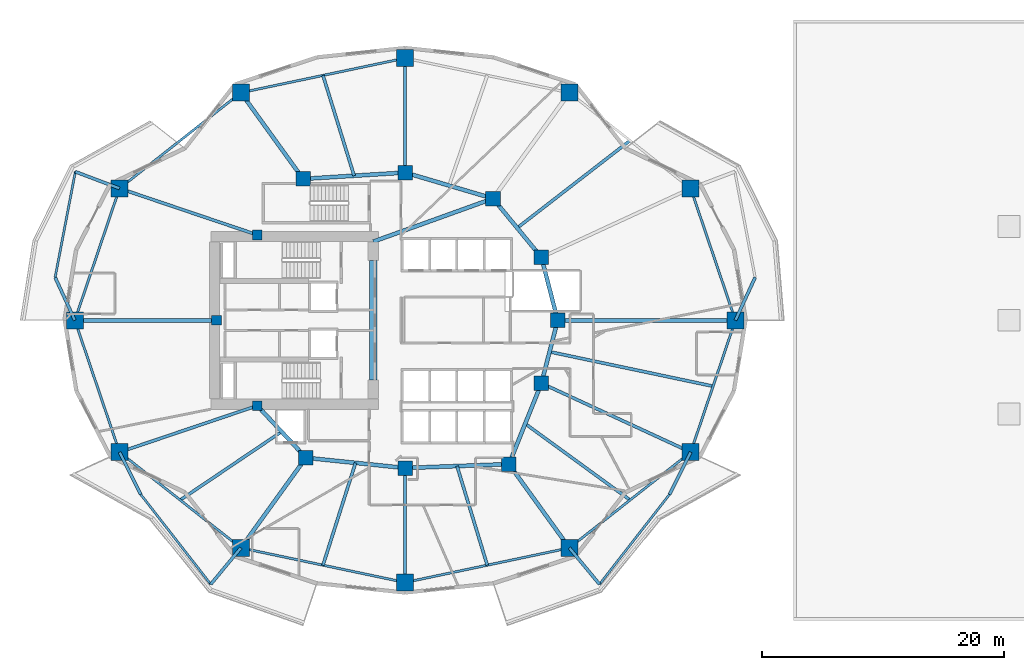
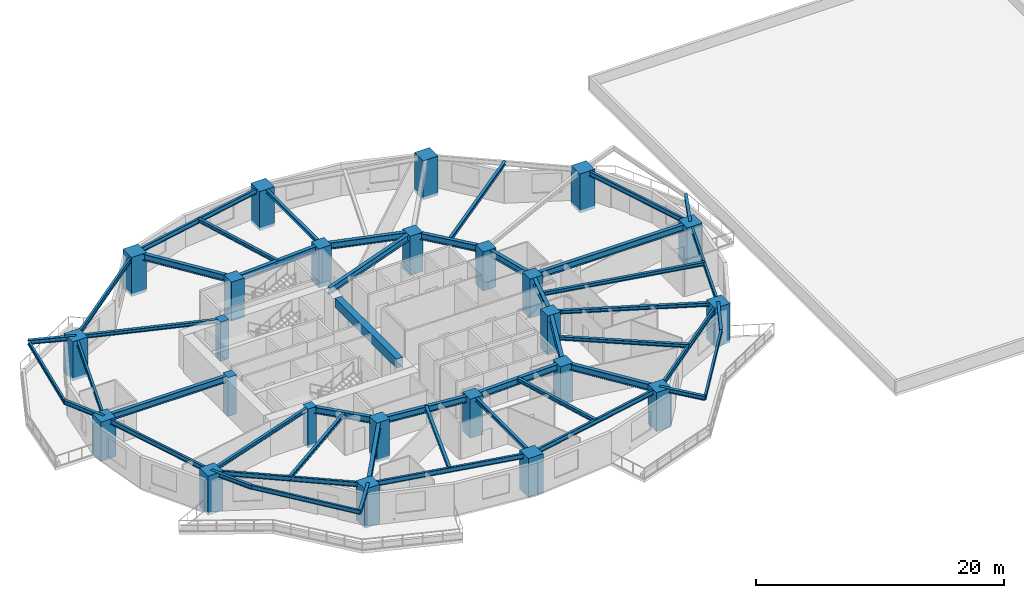
# One storey, part 1 of 13: 48 beams, 24 columns.
"""IFC4 building model written with IfcOpenShell, lengths in metres."""

from ifc_helpers import new_model, si_unit, direction, frame, origin, origin_2d, place, context, subcontext, project, spatial, rectangle, i_section, extrude, material, material_profile, profile_set, type_object, element, save


model = new_model("IFC4")

# Units and contexts
model_context = context("Model", 3, precision=1e-05, world=origin(), true_north=direction((0.0, 1.0)))
body_context = subcontext(model_context, "Body", "Model", "MODEL_VIEW")
ifc_project = project(units=[si_unit("LENGTHUNIT", "METRE"), si_unit("AREAUNIT", "SQUARE_METRE"), si_unit("VOLUMEUNIT", "CUBIC_METRE"), si_unit("PLANEANGLEUNIT", "RADIAN"), si_unit("MASSUNIT", "GRAM", prefix="KILO")], contexts=[model_context])

# Site, building, storey
site_placement = place(None, origin())
site = spatial("IfcSite", under=ifc_project, at=site_placement, CompositionType="ELEMENT")
building_placement = place(site_placement, origin())
building = spatial("IfcBuilding", under=site, at=building_placement, Name="Kolvaren Gate Tower and Convention Centre", CompositionType="ELEMENT")
storey_placement = place(building_placement, frame((0.0, 0.0, 26.5)))
storey = spatial("IfcBuildingStorey", under=building, at=storey_placement, Name="L05", CompositionType="ELEMENT", Elevation=26.5)

# Columns
ifc_material_1 = material(Name="Concrete C70/85", Category="concrete")
ifc_material_profile_1 = material_profile(ifc_material_1, rectangle(XDim=1.199951171875, YDim=1.199951171875, at=origin_2d()), Name="RC-COL-1200X1200")
ifc_profile_set_1 = profile_set([ifc_material_profile_1], Name="Concrete C70/85")
column_type_1 = type_object("IfcColumnType", Name="STR-COL-RC1200", PredefinedType="COLUMN", material=ifc_profile_set_1)
for number, where, z_axis, x_axis, name in (
    (1, (42.72509765625, 27.0, -0.280029296875), (0.0, 0.0, 1.0), (1.0, 0.0, 0.0), "Tower L05 Interior Column TI-01"),
    (2, (41.382080078125, 32.199462890625, -0.280029296875), (0.0, 0.0, 1.0), (1.0, 0.0, 0.0), "Tower L05 Interior Column TI-02"),
    (3, (37.381591796875, 37.054931640625, -0.280029296875), (0.0, 0.0, 1.0), (1.0, 0.0, 0.0), "Tower L05 Interior Column TI-03"),
    (4, (30.125, 39.199951171875, -0.280029296875), (0.0, 0.0, 1.0), (1.0, 0.0, 0.0), "Tower L05 Interior Column TI-04"),
    (5, (21.697998046875, 38.6767578125, -0.280029296875), (0.0, 0.0, 1.0), (1.0, 0.0, 0.0), "Tower L05 Interior Column TI-05"),
    (6, (21.93212890625, 15.647705078125, -0.280029296875), (0.0, 0.0, 1.0), (1.0, 0.0, 0.0), "Tower L05 Interior Column TI-06"),
    (7, (30.125, 14.800048828125, -0.280029296875), (0.0, 0.0, 1.0), (1.0, 0.0, 0.0), "Tower L05 Interior Column TI-07"),
    (8, (38.6982421875, 15.12060546875, -0.280029296875), (0.0, 0.0, 1.0), (1.0, 0.0, 0.0), "Tower L05 Interior Column TI-08"),
    (9, (41.382080078125, 21.800537109375, -0.280029296875), (0.0, 0.0, 1.0), (1.0, 0.0, 0.0), "Tower L05 Interior Column TI-09"),
):
    element("IfcColumn", number, at=place(storey_placement, frame(where, z_axis=z_axis, x_axis=x_axis)), inside=storey, type_object=column_type_1, Name=name, PredefinedType="COLUMN", context=body_context, shape_type="SweptSolid", body=[
        extrude(rectangle(XDim=1.199951171875, YDim=1.199951171875, at=origin_2d()), origin(), (0.0, 0.0, 1.0), 3.85009765625),
    ])
ifc_material_profile_2 = material_profile(ifc_material_1, rectangle(XDim=1.39990234375, YDim=1.39990234375, at=origin_2d()), Name="RC-COL-1400X1400")
ifc_profile_set_2 = profile_set([ifc_material_profile_2], Name="Concrete C70/85")
column_type_2 = type_object("IfcColumnType", Name="STR-COL-RC1400", PredefinedType="COLUMN", material=ifc_profile_set_2)
for number, where, z_axis, x_axis, name in (
    (10, (57.39990234375, 27.0, -0.280029296875), (0.0, 0.0, 1.0), (1.0, 0.0, 0.0), "Tower L05 Perimeter Supercolumn TP-01"),
    (11, (53.710205078125, 37.8935546875, -0.280029296875), (0.0, 0.0, 1.0), (1.0, 0.0, 0.0), "Tower L05 Perimeter Supercolumn TP-02"),
    (12, (43.690185546875, 45.79638671875, -0.280029296875), (0.0, 0.0, 1.0), (1.0, 0.0, 0.0), "Tower L05 Perimeter Supercolumn TP-03"),
    (13, (30.125, 48.64990234375, -0.280029296875), (0.0, 0.0, 1.0), (1.0, 0.0, 0.0), "Tower L05 Perimeter Supercolumn TP-04"),
    (14, (16.559814453125, 45.79638671875, -0.280029296875), (0.0, 0.0, 1.0), (1.0, 0.0, 0.0), "Tower L05 Perimeter Supercolumn TP-05"),
    (15, (6.539794921875, 37.8935546875, -0.280029296875), (0.0, 0.0, 1.0), (1.0, 0.0, 0.0), "Tower L05 Perimeter Supercolumn TP-06"),
    (16, (2.85009765625, 27.0, -0.280029296875), (0.0, 0.0, 1.0), (1.0, 0.0, 0.0), "Tower L05 Perimeter Supercolumn TP-07"),
    (17, (6.539794921875, 16.1064453125, -0.280029296875), (0.0, 0.0, 1.0), (1.0, 0.0, 0.0), "Tower L05 Perimeter Supercolumn TP-08"),
    (18, (16.559814453125, 8.20361328125, -0.280029296875), (0.0, 0.0, 1.0), (1.0, 0.0, 0.0), "Tower L05 Perimeter Supercolumn TP-09"),
    (19, (30.125, 5.35009765625, -0.280029296875), (0.0, 0.0, 1.0), (1.0, 0.0, 0.0), "Tower L05 Perimeter Supercolumn TP-10"),
    (20, (43.690185546875, 8.20361328125, -0.280029296875), (0.0, 0.0, 1.0), (1.0, 0.0, 0.0), "Tower L05 Perimeter Supercolumn TP-11"),
    (21, (53.710205078125, 16.1064453125, -0.280029296875), (0.0, 0.0, 1.0), (1.0, 0.0, 0.0), "Tower L05 Perimeter Supercolumn TP-12"),
):
    element("IfcColumn", number, at=place(storey_placement, frame(where, z_axis=z_axis, x_axis=x_axis)), inside=storey, type_object=column_type_2, Name=name, PredefinedType="COLUMN", context=body_context, shape_type="SweptSolid", body=[
        extrude(rectangle(XDim=1.39990234375, YDim=1.39990234375, at=origin_2d()), origin(), (0.0, 0.0, 1.0), 3.85009765625),
    ])
ifc_material_2 = material(Name="Concrete C60/75", Category="concrete")
ifc_material_profile_3 = material_profile(ifc_material_2, rectangle(XDim=0.800048828125, YDim=0.800048828125, at=origin_2d()), Name="RC-COL-800X800")
ifc_profile_set_3 = profile_set([ifc_material_profile_3], Name="Concrete C60/75")
column_type_3 = type_object("IfcColumnType", Name="STR-PIL-RC800", PredefinedType="PILASTER", material=ifc_profile_set_3)
for number, where, z_axis, x_axis, name in (
    (22, (17.9140625, 34.050048828125, -0.280029296875), (0.0, 0.0, 1.0), (1.0, 0.0, 0.0), "Tower L05 Core Boundary Pilaster TC-05"),
    (23, (14.550048828125, 27.0, -0.280029296875), (0.0, 0.0, 1.0), (1.0, 0.0, 0.0), "Tower L05 Core Boundary Pilaster TC-06"),
    (24, (17.9140625, 19.949951171875, -0.280029296875), (0.0, 0.0, 1.0), (1.0, 0.0, 0.0), "Tower L05 Core Boundary Pilaster TC-07"),
):
    element("IfcColumn", number, at=place(storey_placement, frame(where, z_axis=z_axis, x_axis=x_axis)), inside=storey, type_object=column_type_3, Name=name, PredefinedType="PILASTER", context=body_context, shape_type="SweptSolid", body=[
        extrude(rectangle(XDim=0.800048828125, YDim=0.800048828125, at=origin_2d()), origin(), (0.0, 0.0, 1.0), 3.85009765625),
    ])

# Beams
ifc_material_3 = material(Name="Structural steel ASTM A992 Grade 345 MPa", Category="steel")
ifc_material_profile_4 = material_profile(ifc_material_3, i_section(OverallWidth=0.260009765625, OverallDepth=0.419921875, WebThickness=0.013427734375, FlangeThickness=0.0224609375, at=origin_2d()), Name="W410X132")
ifc_profile_set_4 = profile_set([ifc_material_profile_4], Name="Structural steel ASTM A992 Grade 345 MPa")
beam_type_1 = type_object("IfcBeamType", Name="STR-BM-W410X132", PredefinedType="BEAM", material=ifc_profile_set_4)
beam_1_placement = place(storey_placement, frame((57.39990234375, 27.0, 3.360595703125), z_axis=(0.417803301824, 0.908537506648, 0.0), x_axis=(-0.908537506648, 0.417803301824, 0.0)))
element("IfcBeam", 25, at=beam_1_placement, inside=storey, type_object=beam_type_1, Name="Tower L06 Planted Balcony Outrigger Cantilever BC-1A", PredefinedType="BEAM", context=body_context, shape_type="SweptSolid", body=[
    extrude(i_section(OverallWidth=0.260009765625, OverallDepth=0.419921875, WebThickness=0.013427734375, FlangeThickness=0.0224609375, at=origin_2d()), origin(), (0.0, 0.0, 1.0), 3.89990234375),
])
for number, where, z_axis, x_axis, name in (
    (26, (6.539794921875, 37.8935546875, 3.360595703125), (-0.935978844887, 0.352056248238, 0.0), (-0.352056248238, -0.935978844887, 0.0), "Tower L06 Planted Balcony Outrigger Cantilever BC-2A"),
    (27, (2.85009765625, 27.0, 3.360595703125), (-0.41777954008, 0.908548433431, 0.0), (-0.908548433431, -0.41777954008, 0.0), "Tower L06 Planted Balcony Outrigger Cantilever BC-2B"),
    (28, (6.539794921875, 16.1064453125, 3.360595703125), (0.448264934313, -0.893900748778, 0.0), (0.893900748778, 0.448264934313, 0.0), "Tower L06 Planted Balcony Outrigger Cantilever BC-3A"),
):
    element("IfcBeam", number, at=place(storey_placement, frame(where, z_axis=z_axis, x_axis=x_axis)), inside=storey, type_object=beam_type_1, Name=name, PredefinedType="BEAM", context=body_context, shape_type="SweptSolid", body=[
        extrude(i_section(OverallWidth=0.260009765625, OverallDepth=0.419921875, WebThickness=0.013427734375, FlangeThickness=0.0224609375, at=origin_2d()), origin(), (0.0, 0.0, 1.0), 3.900146484375),
    ])
for number, where, z_axis, x_axis, name in (
    (29, (16.559814453125, 8.20361328125, 3.360595703125), (-0.637866192119, -0.770147207326, 0.0), (0.770147207326, -0.637866192119, 0.0), "Tower L06 Planted Balcony Outrigger Cantilever BC-3B"),
    (30, (43.690185546875, 8.20361328125, 3.360595703125), (0.637866192119, -0.770147207326, 0.0), (0.770147207326, 0.637866192119, 0.0), "Tower L06 Planted Balcony Outrigger Cantilever BC-4A"),
):
    element("IfcBeam", number, at=place(storey_placement, frame(where, z_axis=z_axis, x_axis=x_axis)), inside=storey, type_object=beam_type_1, Name=name, PredefinedType="BEAM", context=body_context, shape_type="SweptSolid", body=[
        extrude(i_section(OverallWidth=0.260009765625, OverallDepth=0.419921875, WebThickness=0.013427734375, FlangeThickness=0.0224609375, at=origin_2d()), origin(), (0.0, 0.0, 1.0), 3.89990234375),
    ])
beam_2_placement = place(storey_placement, frame((53.710205078125, 16.1064453125, 3.360595703125), z_axis=(-0.448264934313, -0.893900748778, 0.0), x_axis=(0.893900748778, -0.448264934313, 0.0)))
element("IfcBeam", 31, at=beam_2_placement, inside=storey, type_object=beam_type_1, Name="Tower L06 Planted Balcony Outrigger Cantilever BC-4B", PredefinedType="BEAM", context=body_context, shape_type="SweptSolid", body=[
    extrude(i_section(OverallWidth=0.260009765625, OverallDepth=0.419921875, WebThickness=0.013427734375, FlangeThickness=0.0224609375, at=origin_2d()), origin(), (0.0, 0.0, 1.0), 3.900146484375),
])
ifc_material_profile_5 = material_profile(ifc_material_3, i_section(OverallWidth=0.327880859375, OverallDepth=0.6279296875, WebThickness=0.0166015625, FlangeThickness=0.027587890625, at=origin_2d()), Name="W610X217")
ifc_profile_set_5 = profile_set([ifc_material_profile_5], Name="Structural steel ASTM A992 Grade 345 MPa")
beam_type_2 = type_object("IfcBeamType", Name="STR-BM-W610X217", PredefinedType="BEAM", material=ifc_profile_set_5)
beam_3_placement = place(storey_placement, frame((42.72509765625, 27.0, 3.256103515625), z_axis=(-0.250091133936, -0.968222301296, 0.0), x_axis=(0.968222301296, -0.250091133936, 0.0)))
element("IfcBeam", 32, at=beam_3_placement, inside=storey, type_object=beam_type_2, Name="Tower L05 Primary Ring Girder G-01", PredefinedType="BEAM", context=body_context, shape_type="SweptSolid", body=[
    extrude(i_section(OverallWidth=0.327880859375, OverallDepth=0.6279296875, WebThickness=0.0166015625, FlangeThickness=0.027587890625, at=origin_2d()), origin(), (0.0, 0.0, 1.0), 5.3701171875),
])
beam_4_placement = place(storey_placement, frame((41.382080078125, 32.199462890625, 3.256103515625), z_axis=(-0.635884066011, 0.771784590798, 0.0), x_axis=(-0.771784590798, -0.635884066011, 0.0)))
element("IfcBeam", 33, at=beam_4_placement, inside=storey, type_object=beam_type_2, Name="Tower L05 Primary Ring Girder G-02", PredefinedType="BEAM", context=body_context, shape_type="SweptSolid", body=[
    extrude(i_section(OverallWidth=0.327880859375, OverallDepth=0.6279296875, WebThickness=0.0166015625, FlangeThickness=0.027587890625, at=origin_2d()), origin(), (0.0, 0.0, 1.0), 6.291259765625),
])
beam_5_placement = place(storey_placement, frame((37.381591796875, 37.054931640625, 3.256103515625), z_axis=(-0.958980837827, 0.283470902706, 0.0), x_axis=(-0.283470902706, -0.958980837827, 0.0)))
element("IfcBeam", 34, at=beam_5_placement, inside=storey, type_object=beam_type_2, Name="Tower L05 Primary Ring Girder G-03", PredefinedType="BEAM", context=body_context, shape_type="SweptSolid", body=[
    extrude(i_section(OverallWidth=0.327880859375, OverallDepth=0.6279296875, WebThickness=0.0166015625, FlangeThickness=0.027587890625, at=origin_2d()), origin(), (0.0, 0.0, 1.0), 7.56689453125),
])
beam_6_placement = place(storey_placement, frame((30.125, 39.199951171875, 3.256103515625), z_axis=(-0.998078258568, -0.06196603726, 0.0), x_axis=(0.06196603726, -0.998078258568, 0.0)))
element("IfcBeam", 35, at=beam_6_placement, inside=storey, type_object=beam_type_2, Name="Tower L05 Primary Ring Girder G-04", PredefinedType="BEAM", context=body_context, shape_type="SweptSolid", body=[
    extrude(i_section(OverallWidth=0.327880859375, OverallDepth=0.6279296875, WebThickness=0.0166015625, FlangeThickness=0.027587890625, at=origin_2d()), origin(), (0.0, 0.0, 1.0), 8.443115234375),
])
beam_7_placement = place(storey_placement, frame((17.9140625, 19.949951171875, 3.256103515625), z_axis=(0.682557592987, -0.730831808459, 0.0), x_axis=(0.730831808459, 0.682557592987, 0.0)))
element("IfcBeam", 36, at=beam_7_placement, inside=storey, type_object=beam_type_2, Name="Tower L05 Primary Ring Girder G-06", PredefinedType="BEAM", context=body_context, shape_type="SweptSolid", body=[
    extrude(i_section(OverallWidth=0.327880859375, OverallDepth=0.6279296875, WebThickness=0.0166015625, FlangeThickness=0.027587890625, at=origin_2d()), origin(), (0.0, 0.0, 1.0), 5.88671875),
])
beam_8_placement = place(storey_placement, frame((21.93212890625, 15.647705078125, 3.256103515625), z_axis=(0.994690329115, -0.102913308978, 0.0), x_axis=(0.102913308978, 0.994690329115, 0.0)))
element("IfcBeam", 37, at=beam_8_placement, inside=storey, type_object=beam_type_2, Name="Tower L05 Primary Ring Girder G-07", PredefinedType="BEAM", context=body_context, shape_type="SweptSolid", body=[
    extrude(i_section(OverallWidth=0.327880859375, OverallDepth=0.6279296875, WebThickness=0.0166015625, FlangeThickness=0.027587890625, at=origin_2d()), origin(), (0.0, 0.0, 1.0), 8.236572265625),
])
beam_9_placement = place(storey_placement, frame((30.125, 14.800048828125, 3.256103515625), z_axis=(0.999301712453, 0.037364254142, 0.0), x_axis=(-0.037364254142, 0.999301712453, 0.0)))
element("IfcBeam", 38, at=beam_9_placement, inside=storey, type_object=beam_type_2, Name="Tower L05 Primary Ring Girder G-08", PredefinedType="BEAM", context=body_context, shape_type="SweptSolid", body=[
    extrude(i_section(OverallWidth=0.327880859375, OverallDepth=0.6279296875, WebThickness=0.0166015625, FlangeThickness=0.027587890625, at=origin_2d()), origin(), (0.0, 0.0, 1.0), 8.579345703125),
])
beam_10_placement = place(storey_placement, frame((38.6982421875, 15.12060546875, 3.256103515625), z_axis=(0.372811100169, 0.927907260232, 0.0), x_axis=(-0.927907260232, 0.372811100169, 0.0)))
element("IfcBeam", 39, at=beam_10_placement, inside=storey, type_object=beam_type_2, Name="Tower L05 Primary Ring Girder G-09", PredefinedType="BEAM", context=body_context, shape_type="SweptSolid", body=[
    extrude(i_section(OverallWidth=0.327880859375, OverallDepth=0.6279296875, WebThickness=0.0166015625, FlangeThickness=0.027587890625, at=origin_2d()), origin(), (0.0, 0.0, 1.0), 7.198974609375),
])
beam_11_placement = place(storey_placement, frame((27.5, 33.5, 3.256103515625), z_axis=(0.940961479908, 0.338513653093, 0.0), x_axis=(-0.338513653093, 0.940961479908, 0.0)))
element("IfcBeam", 40, at=beam_11_placement, inside=storey, type_object=beam_type_2, Name="Tower L05 Primary Ring Girder G-10", PredefinedType="BEAM", context=body_context, shape_type="SweptSolid", body=[
    extrude(i_section(OverallWidth=0.327880859375, OverallDepth=0.6279296875, WebThickness=0.0166015625, FlangeThickness=0.027587890625, at=origin_2d()), origin(), (0.0, 0.0, 1.0), 10.501708984375),
])
beam_12_placement = place(storey_placement, frame((42.72509765625, 27.0, 3.256103515625), z_axis=(-0.250091133936, 0.968222301296, 0.0), x_axis=(-0.968222301296, -0.250091133936, 0.0)))
element("IfcBeam", 41, at=beam_12_placement, inside=storey, type_object=beam_type_2, Name="Tower L05 Primary Ring Girder G-12", PredefinedType="BEAM", context=body_context, shape_type="SweptSolid", body=[
    extrude(i_section(OverallWidth=0.327880859375, OverallDepth=0.6279296875, WebThickness=0.0166015625, FlangeThickness=0.027587890625, at=origin_2d()), origin(), (0.0, 0.0, 1.0), 5.3701171875),
])
beam_13_placement = place(storey_placement, frame((42.72509765625, 27.0, 3.256103515625), z_axis=(1.0, 0.0, 0.0), x_axis=(0.0, 1.0, 0.0)))
element("IfcBeam", 42, at=beam_13_placement, inside=storey, type_object=beam_type_2, Name="Tower L05 Radial Floor Girder RB-01", PredefinedType="BEAM", context=body_context, shape_type="SweptSolid", body=[
    extrude(i_section(OverallWidth=0.327880859375, OverallDepth=0.6279296875, WebThickness=0.0166015625, FlangeThickness=0.027587890625, at=origin_2d()), origin(), (0.0, 0.0, 1.0), 14.6748046875),
])
beam_14_placement = place(storey_placement, frame((21.697998046875, 38.6767578125, 3.256103515625), z_axis=(-0.585208283095, 0.810883015852, 0.0), x_axis=(-0.810883015852, -0.585208283095, 0.0)))
element("IfcBeam", 43, at=beam_14_placement, inside=storey, type_object=beam_type_2, Name="Tower L05 Radial Floor Girder RB-05", PredefinedType="BEAM", context=body_context, shape_type="SweptSolid", body=[
    extrude(i_section(OverallWidth=0.327880859375, OverallDepth=0.6279296875, WebThickness=0.0166015625, FlangeThickness=0.027587890625, at=origin_2d()), origin(), (0.0, 0.0, 1.0), 8.780029296875),
])
beam_15_placement = place(storey_placement, frame((14.550048828125, 27.0, 3.256103515625), z_axis=(-1.0, 0.0, 0.0), x_axis=(0.0, -1.0, 0.0)))
element("IfcBeam", 44, at=beam_15_placement, inside=storey, type_object=beam_type_2, Name="Tower L05 Radial Floor Girder RB-07", PredefinedType="BEAM", context=body_context, shape_type="SweptSolid", body=[
    extrude(i_section(OverallWidth=0.327880859375, OverallDepth=0.6279296875, WebThickness=0.0166015625, FlangeThickness=0.027587890625, at=origin_2d()), origin(), (0.0, 0.0, 1.0), 11.699951171875),
])
beam_16_placement = place(storey_placement, frame((21.93212890625, 15.647705078125, 3.256103515625), z_axis=(-0.585206018873, -0.810884649919, 0.0), x_axis=(0.810884649919, -0.585206018873, 0.0)))
element("IfcBeam", 45, at=beam_16_placement, inside=storey, type_object=beam_type_2, Name="Tower L05 Radial Floor Girder RB-09", PredefinedType="BEAM", context=body_context, shape_type="SweptSolid", body=[
    extrude(i_section(OverallWidth=0.327880859375, OverallDepth=0.6279296875, WebThickness=0.0166015625, FlangeThickness=0.027587890625, at=origin_2d()), origin(), (0.0, 0.0, 1.0), 9.18017578125),
])
beam_17_placement = place(storey_placement, frame((38.6982421875, 15.12060546875, 3.256103515625), z_axis=(0.585208374732, -0.810882949718, 0.0), x_axis=(0.810882949718, 0.585208374732, 0.0)))
element("IfcBeam", 46, at=beam_17_placement, inside=storey, type_object=beam_type_2, Name="Tower L05 Radial Floor Girder RB-11", PredefinedType="BEAM", context=body_context, shape_type="SweptSolid", body=[
    extrude(i_section(OverallWidth=0.327880859375, OverallDepth=0.6279296875, WebThickness=0.0166015625, FlangeThickness=0.027587890625, at=origin_2d()), origin(), (0.0, 0.0, 1.0), 8.5302734375),
])
ifc_material_profile_6 = material_profile(ifc_material_3, i_section(OverallWidth=0.2548828125, OverallDepth=0.35693359375, WebThickness=0.010498046875, FlangeThickness=0.018310546875, at=origin_2d()), Name="W360X101")
ifc_profile_set_6 = profile_set([ifc_material_profile_6], Name="Structural steel ASTM A992 Grade 345 MPa")
beam_type_3 = type_object("IfcBeamType", Name="STR-JS-W360X101", PredefinedType="JOIST", material=ifc_profile_set_6)
beam_18_placement = place(storey_placement, frame((30.125, 39.199951171875, 3.3916015625), z_axis=(0.0, 1.0, 0.0), x_axis=(-1.0, 0.0, 0.0)))
element("IfcBeam", 47, at=beam_18_placement, inside=storey, type_object=beam_type_3, Name="Tower L05 Radial Floor Girder RB-04", PredefinedType="JOIST", context=body_context, shape_type="SweptSolid", body=[
    extrude(i_section(OverallWidth=0.2548828125, OverallDepth=0.35693359375, WebThickness=0.010498046875, FlangeThickness=0.018310546875, at=origin_2d()), origin(), (0.0, 0.0, 1.0), 9.449951171875),
])
for number, where, z_axis, x_axis, name in (
    (48, (17.9140625, 34.050048828125, 3.3916015625), (-0.947373842609, 0.320129352512, 0.0), (-0.320129352512, -0.947373842609, 0.0), "Tower L05 Radial Floor Girder RB-06"),
    (49, (17.9140625, 19.949951171875, 3.3916015625), (-0.947373842609, -0.320129352512, 0.0), (0.320129352512, -0.947373842609, 0.0), "Tower L05 Radial Floor Girder RB-08"),
):
    element("IfcBeam", number, at=place(storey_placement, frame(where, z_axis=z_axis, x_axis=x_axis)), inside=storey, type_object=beam_type_3, Name=name, PredefinedType="JOIST", context=body_context, shape_type="SweptSolid", body=[
        extrude(i_section(OverallWidth=0.2548828125, OverallDepth=0.35693359375, WebThickness=0.010498046875, FlangeThickness=0.018310546875, at=origin_2d()), origin(), (0.0, 0.0, 1.0), 12.006103515625),
    ])
beam_19_placement = place(storey_placement, frame((30.125, 14.800048828125, 3.3916015625), z_axis=(0.0, -1.0, 0.0), x_axis=(1.0, 0.0, 0.0)))
element("IfcBeam", 50, at=beam_19_placement, inside=storey, type_object=beam_type_3, Name="Tower L05 Radial Floor Girder RB-10", PredefinedType="JOIST", context=body_context, shape_type="SweptSolid", body=[
    extrude(i_section(OverallWidth=0.2548828125, OverallDepth=0.35693359375, WebThickness=0.010498046875, FlangeThickness=0.018310546875, at=origin_2d()), origin(), (0.0, 0.0, 1.0), 9.449951171875),
])
beam_20_placement = place(storey_placement, frame((41.382080078125, 21.800537109375, 3.3916015625), z_axis=(0.907842006347, -0.419312403241, 0.0), x_axis=(0.419312403241, 0.907842006347, 0.0)))
element("IfcBeam", 51, at=beam_20_placement, inside=storey, type_object=beam_type_3, Name="Tower L05 Radial Floor Girder RB-12", PredefinedType="JOIST", context=body_context, shape_type="SweptSolid", body=[
    extrude(i_section(OverallWidth=0.2548828125, OverallDepth=0.35693359375, WebThickness=0.010498046875, FlangeThickness=0.018310546875, at=origin_2d()), origin(), (0.0, 0.0, 1.0), 13.57958984375),
])
beam_21_placement = place(storey_placement, frame((39.3818359375, 34.627197265625, 3.3916015625), z_axis=(0.790577493994, 0.612362005671, 0.0), x_axis=(-0.612362005671, 0.790577493994, 0.0)))
element("IfcBeam", 52, at=beam_21_placement, inside=storey, type_object=beam_type_3, Name="Tower L05 Secondary Composite Floor Joist J-02.1", PredefinedType="JOIST", context=body_context, shape_type="SweptSolid", body=[
    extrude(i_section(OverallWidth=0.2548828125, OverallDepth=0.35693359375, WebThickness=0.010498046875, FlangeThickness=0.018310546875, at=origin_2d()), origin(), (0.0, 0.0, 1.0), 11.786865234375),
])
beam_22_placement = place(storey_placement, frame((25.91162109375, 38.938232421875, 3.3916015625), z_axis=(-0.296205333134, 0.955124285433, 0.0), x_axis=(-0.955124285433, -0.296205333134, 0.0)))
element("IfcBeam", 53, at=beam_22_placement, inside=storey, type_object=beam_type_3, Name="Tower L05 Secondary Composite Floor Joist J-04.1", PredefinedType="JOIST", context=body_context, shape_type="SweptSolid", body=[
    extrude(i_section(OverallWidth=0.2548828125, OverallDepth=0.35693359375, WebThickness=0.010498046875, FlangeThickness=0.018310546875, at=origin_2d()), origin(), (0.0, 0.0, 1.0), 8.674072265625),
])
beam_23_placement = place(storey_placement, frame((19.923095703125, 17.798828125, 3.3916015625), z_axis=(-0.829223797874, -0.558916713866, 0.0), x_axis=(0.558916713866, -0.829223797874, 0.0)))
element("IfcBeam", 54, at=beam_23_placement, inside=storey, type_object=beam_type_3, Name="Tower L05 Secondary Composite Floor Joist J-08.1", PredefinedType="JOIST", context=body_context, shape_type="SweptSolid", body=[
    extrude(i_section(OverallWidth=0.2548828125, OverallDepth=0.35693359375, WebThickness=0.010498046875, FlangeThickness=0.018310546875, at=origin_2d()), origin(), (0.0, 0.0, 1.0), 10.09765625),
])
beam_24_placement = place(storey_placement, frame((26.028564453125, 15.223876953125, 3.3916015625), z_axis=(-0.303059270932, -0.952971709078, 0.0), x_axis=(0.952971709078, -0.303059270932, 0.0)))
element("IfcBeam", 55, at=beam_24_placement, inside=storey, type_object=beam_type_3, Name="Tower L05 Secondary Composite Floor Joist J-09.1", PredefinedType="JOIST", context=body_context, shape_type="SweptSolid", body=[
    extrude(i_section(OverallWidth=0.2548828125, OverallDepth=0.35693359375, WebThickness=0.010498046875, FlangeThickness=0.018310546875, at=origin_2d()), origin(), (0.0, 0.0, 1.0), 8.86376953125),
])
beam_25_placement = place(storey_placement, frame((34.41162109375, 14.960205078125, 3.3916015625), z_axis=(0.291750890749, -0.956494337541, 0.0), x_axis=(0.956494337541, 0.291750890749, 0.0)))
element("IfcBeam", 56, at=beam_25_placement, inside=storey, type_object=beam_type_3, Name="Tower L05 Secondary Composite Floor Joist J-10.1", PredefinedType="JOIST", context=body_context, shape_type="SweptSolid", body=[
    extrude(i_section(OverallWidth=0.2548828125, OverallDepth=0.35693359375, WebThickness=0.010498046875, FlangeThickness=0.018310546875, at=origin_2d()), origin(), (0.0, 0.0, 1.0), 8.5556640625),
])
beam_26_placement = place(storey_placement, frame((40.040283203125, 18.46044921875, 3.3916015625), z_axis=(0.808411716387, -0.588617445212, 0.0), x_axis=(0.588617445212, 0.808411716387, 0.0)))
element("IfcBeam", 57, at=beam_26_placement, inside=storey, type_object=beam_type_3, Name="Tower L05 Secondary Composite Floor Joist J-11.1", PredefinedType="JOIST", context=body_context, shape_type="SweptSolid", body=[
    extrude(i_section(OverallWidth=0.2548828125, OverallDepth=0.35693359375, WebThickness=0.010498046875, FlangeThickness=0.018310546875, at=origin_2d()), origin(), (0.0, 0.0, 1.0), 10.712158203125),
])
beam_27_placement = place(storey_placement, frame((42.0537109375, 24.400146484375, 3.3916015625), z_axis=(0.978483842038, -0.206323461756, 0.0), x_axis=(0.206323461756, 0.978483842038, 0.0)))
element("IfcBeam", 58, at=beam_27_placement, inside=storey, type_object=beam_type_3, Name="Tower L05 Secondary Composite Floor Joist J-12.1", PredefinedType="JOIST", context=body_context, shape_type="SweptSolid", body=[
    extrude(i_section(OverallWidth=0.2548828125, OverallDepth=0.35693359375, WebThickness=0.010498046875, FlangeThickness=0.018310546875, at=origin_2d()), origin(), (0.0, 0.0, 1.0), 13.79833984375),
])
ifc_material_profile_7 = material_profile(ifc_material_2, rectangle(XDim=0.60009765625, YDim=0.89990234375, at=origin_2d()), Name="RC-BM-600X900")
ifc_profile_set_7 = profile_set([ifc_material_profile_7], Name="Concrete C60/75")
beam_type_4 = type_object("IfcBeamType", Name="STR-LN-RC600X900", PredefinedType="LINTEL", material=ifc_profile_set_7)
beam_28_placement = place(storey_placement, frame((27.5, 22.050048828125, 3.1201171875), z_axis=(0.0, 1.0, 0.0), x_axis=(-1.0, 0.0, 0.0)))
element("IfcBeam", 59, at=beam_28_placement, inside=storey, type_object=beam_type_4, Name="Tower L05 Core Ductile Coupling Beam CB-01", PredefinedType="LINTEL", context=body_context, shape_type="SweptSolid", body=[
    extrude(rectangle(XDim=0.60009765625, YDim=0.89990234375, at=origin_2d()), origin(), (0.0, 0.0, 1.0), 9.89990234375),
])
ifc_material_profile_8 = material_profile(ifc_material_3, i_section(OverallWidth=0.180908203125, OverallDepth=0.4169921875, WebThickness=0.010986328125, FlangeThickness=0.018310546875, at=origin_2d()), Name="W410X85")
ifc_profile_set_8 = profile_set([ifc_material_profile_8], Name="Structural steel ASTM A992 Grade 345 MPa")
beam_type_5 = type_object("IfcBeamType", Name="STR-SP-W410X85", PredefinedType="SPANDREL", material=ifc_profile_set_8)
beam_29_placement = place(storey_placement, frame((2.889404296875, 39.2666015625, 3.362060546875), z_axis=(-0.187888905925, -0.982190286569, 0.0), x_axis=(0.982190286569, -0.187888905925, 0.0)))
element("IfcBeam", 60, at=beam_29_placement, inside=storey, type_object=beam_type_5, Name="Tower L06 Planted Balcony Header Tie Beam BT-2", PredefinedType="SPANDREL", context=body_context, shape_type="SweptSolid", body=[
    extrude(i_section(OverallWidth=0.180908203125, OverallDepth=0.4169921875, WebThickness=0.010986328125, FlangeThickness=0.018310546875, at=origin_2d()), origin(), (0.0, 0.0, 1.0), 8.88134765625),
])
for number, where, z_axis, x_axis, name in (
    (61, (8.2880859375, 12.6201171875, 3.362060546875), (0.614809768984, -0.788675438924, 0.0), (0.788675438924, 0.614809768984, 0.0), "Tower L06 Planted Balcony Header Tie Beam BT-3"),
    (62, (46.177734375, 5.2001953125, 3.362060546875), (0.614809768984, 0.788675438924, 0.0), (-0.788675438924, 0.614809768984, 0.0), "Tower L06 Planted Balcony Header Tie Beam BT-4"),
):
    element("IfcBeam", number, at=place(storey_placement, frame(where, z_axis=z_axis, x_axis=x_axis)), inside=storey, type_object=beam_type_5, Name=name, PredefinedType="SPANDREL", context=body_context, shape_type="SweptSolid", body=[
        extrude(i_section(OverallWidth=0.180908203125, OverallDepth=0.4169921875, WebThickness=0.010986328125, FlangeThickness=0.018310546875, at=origin_2d()), origin(), (0.0, 0.0, 1.0), 9.407958984375),
    ])
ifc_material_profile_9 = material_profile(ifc_material_3, i_section(OverallWidth=0.194091796875, OverallDepth=0.468994140625, WebThickness=0.0126953125, FlangeThickness=0.0205078125, at=origin_2d()), Name="W460X106")
ifc_profile_set_9 = profile_set([ifc_material_profile_9], Name="Structural steel ASTM A992 Grade 345 MPa")
beam_type_6 = type_object("IfcBeamType", Name="STR-SP-W460X106", PredefinedType="SPANDREL", material=ifc_profile_set_9)
beam_30_placement = place(storey_placement, frame((57.39990234375, 27.0, 3.33544921875), z_axis=(-0.320802733798, 0.947146032029, 0.0), x_axis=(-0.947146032029, -0.320802733798, 0.0)))
element("IfcBeam", 63, at=beam_30_placement, inside=storey, type_object=beam_type_6, Name="Tower L05 Perimeter Spandrel Beam SP-01", PredefinedType="SPANDREL", context=body_context, shape_type="SweptSolid", body=[
    extrude(i_section(OverallWidth=0.194091796875, OverallDepth=0.468994140625, WebThickness=0.0126953125, FlangeThickness=0.0205078125, at=origin_2d()), origin(), (0.0, 0.0, 1.0), 11.50146484375),
])
beam_31_placement = place(storey_placement, frame((30.125, 48.64990234375, 3.33544921875), z_axis=(-0.978583407863, -0.205850707685, 0.0), x_axis=(0.205850707685, -0.978583407863, 0.0)))
element("IfcBeam", 64, at=beam_31_placement, inside=storey, type_object=beam_type_6, Name="Tower L05 Perimeter Spandrel Beam SP-04", PredefinedType="SPANDREL", context=body_context, shape_type="SweptSolid", body=[
    extrude(i_section(OverallWidth=0.194091796875, OverallDepth=0.468994140625, WebThickness=0.0126953125, FlangeThickness=0.0205078125, at=origin_2d()), origin(), (0.0, 0.0, 1.0), 13.862060546875),
])
beam_32_placement = place(storey_placement, frame((16.559814453125, 45.79638671875, 3.33544921875), z_axis=(-0.785176498861, -0.619272044933, 0.0), x_axis=(0.619272044933, -0.785176498861, 0.0)))
element("IfcBeam", 65, at=beam_32_placement, inside=storey, type_object=beam_type_6, Name="Tower L05 Perimeter Spandrel Beam SP-05", PredefinedType="SPANDREL", context=body_context, shape_type="SweptSolid", body=[
    extrude(i_section(OverallWidth=0.194091796875, OverallDepth=0.468994140625, WebThickness=0.0126953125, FlangeThickness=0.0205078125, at=origin_2d()), origin(), (0.0, 0.0, 1.0), 12.761474609375),
])
for number, where, z_axis, x_axis, name in (
    (66, (6.539794921875, 37.8935546875, 3.33544921875), (-0.320802733798, -0.947146032029, 0.0), (0.947146032029, -0.320802733798, 0.0), "Tower L05 Perimeter Spandrel Beam SP-06"),
    (67, (2.85009765625, 27.0, 3.33544921875), (0.320802733798, -0.947146032029, 0.0), (0.947146032029, 0.320802733798, 0.0), "Tower L05 Perimeter Spandrel Beam SP-07"),
):
    element("IfcBeam", number, at=place(storey_placement, frame(where, z_axis=z_axis, x_axis=x_axis)), inside=storey, type_object=beam_type_6, Name=name, PredefinedType="SPANDREL", context=body_context, shape_type="SweptSolid", body=[
        extrude(i_section(OverallWidth=0.194091796875, OverallDepth=0.468994140625, WebThickness=0.0126953125, FlangeThickness=0.0205078125, at=origin_2d()), origin(), (0.0, 0.0, 1.0), 11.50146484375),
    ])
beam_33_placement = place(storey_placement, frame((6.539794921875, 16.1064453125, 3.33544921875), z_axis=(0.785176498861, -0.619272044933, 0.0), x_axis=(0.619272044933, 0.785176498861, 0.0)))
element("IfcBeam", 68, at=beam_33_placement, inside=storey, type_object=beam_type_6, Name="Tower L05 Perimeter Spandrel Beam SP-08", PredefinedType="SPANDREL", context=body_context, shape_type="SweptSolid", body=[
    extrude(i_section(OverallWidth=0.194091796875, OverallDepth=0.468994140625, WebThickness=0.0126953125, FlangeThickness=0.0205078125, at=origin_2d()), origin(), (0.0, 0.0, 1.0), 12.761474609375),
])
for number, where, z_axis, x_axis, name in (
    (69, (16.559814453125, 8.20361328125, 3.33544921875), (0.978583407863, -0.205850707685, 0.0), (0.205850707685, 0.978583407863, 0.0), "Tower L05 Perimeter Spandrel Beam SP-09"),
    (70, (30.125, 5.35009765625, 3.33544921875), (0.978583407863, 0.205850707685, 0.0), (-0.205850707685, 0.978583407863, 0.0), "Tower L05 Perimeter Spandrel Beam SP-10"),
):
    element("IfcBeam", number, at=place(storey_placement, frame(where, z_axis=z_axis, x_axis=x_axis)), inside=storey, type_object=beam_type_6, Name=name, PredefinedType="SPANDREL", context=body_context, shape_type="SweptSolid", body=[
        extrude(i_section(OverallWidth=0.194091796875, OverallDepth=0.468994140625, WebThickness=0.0126953125, FlangeThickness=0.0205078125, at=origin_2d()), origin(), (0.0, 0.0, 1.0), 13.862060546875),
    ])
beam_34_placement = place(storey_placement, frame((43.690185546875, 8.20361328125, 3.33544921875), z_axis=(0.785176498861, 0.619272044933, 0.0), x_axis=(-0.619272044933, 0.785176498861, 0.0)))
element("IfcBeam", 71, at=beam_34_placement, inside=storey, type_object=beam_type_6, Name="Tower L05 Perimeter Spandrel Beam SP-11", PredefinedType="SPANDREL", context=body_context, shape_type="SweptSolid", body=[
    extrude(i_section(OverallWidth=0.194091796875, OverallDepth=0.468994140625, WebThickness=0.0126953125, FlangeThickness=0.0205078125, at=origin_2d()), origin(), (0.0, 0.0, 1.0), 12.761474609375),
])
beam_35_placement = place(storey_placement, frame((53.710205078125, 16.1064453125, 3.33544921875), z_axis=(0.320802733798, 0.947146032029, 0.0), x_axis=(-0.947146032029, 0.320802733798, 0.0)))
element("IfcBeam", 72, at=beam_35_placement, inside=storey, type_object=beam_type_6, Name="Tower L05 Perimeter Spandrel Beam SP-12", PredefinedType="SPANDREL", context=body_context, shape_type="SweptSolid", body=[
    extrude(i_section(OverallWidth=0.194091796875, OverallDepth=0.468994140625, WebThickness=0.0126953125, FlangeThickness=0.0205078125, at=origin_2d()), origin(), (0.0, 0.0, 1.0), 11.50146484375),
])

save(model, "model.ifc")
